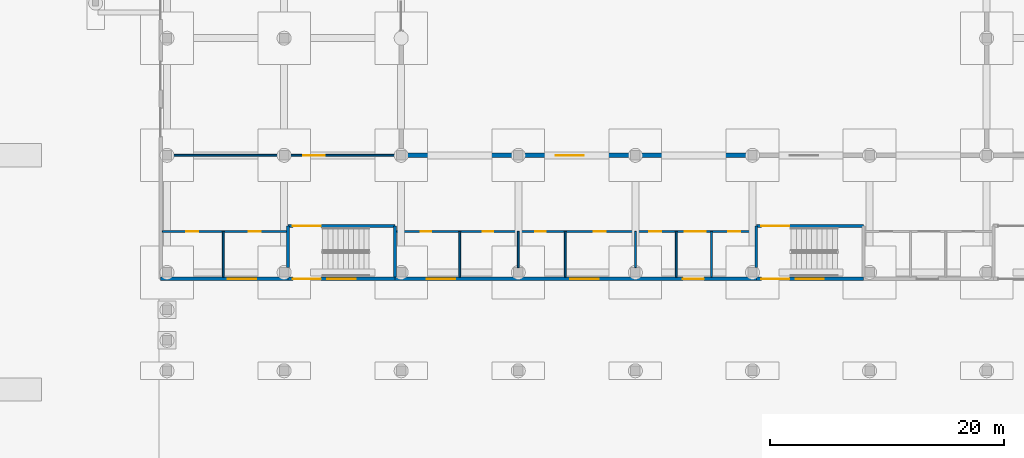
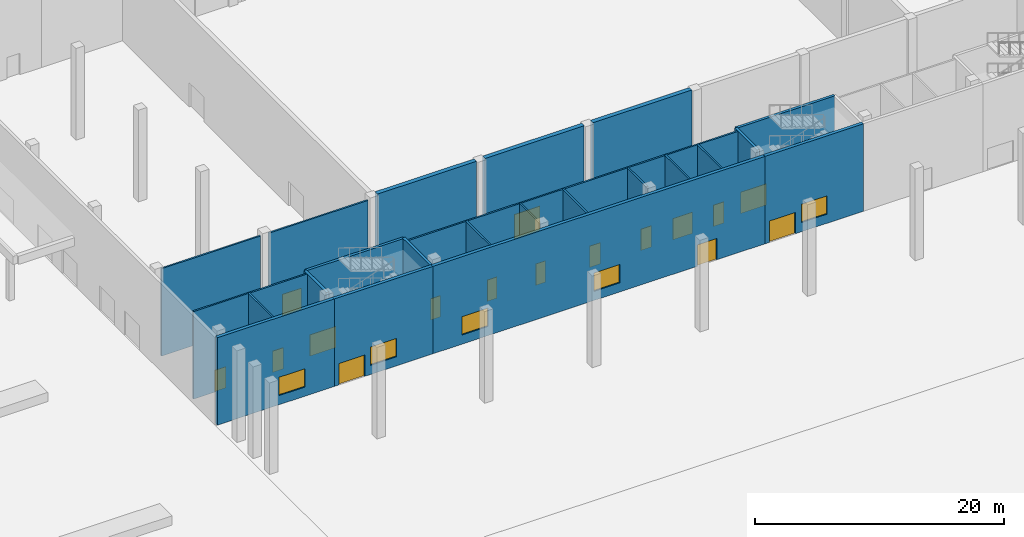
# One storey, part 32 of 63: 23 walls, 16 doors, 5 windows, 21 openings.
"""IFC4 building model written with IfcOpenShell, lengths in metres."""

import ifcopenshell
import ifcopenshell.guid

model = None  # the IFC model being written
_history = None  # IfcOwnerHistory: only IFC2X3 demands one
_inside = {}  # id of a spatial element -> (the spatial element, [elements in it])
_under = {}  # id of a project, library or spatial element -> (it, [spatial elements below it])
_declared = {}  # id of a project -> (the project, [libraries it declares])
_typed = {}  # id of a type object -> (the type object, [elements of that type])
_made_of = {}  # id of a material, layer set ... -> (it, [elements and type objects made of it])


def new_model(schema):
    """Start an empty IFC model of exactly this schema.

    Asked for "IFC4X3", IfcOpenShell would pick the latest addendum, in which some entities
    have other attributes; the version numbers below select the first issue.
    IFC2X3 requires an IfcOwnerHistory on every rooted entity: one is made here for all.
    """
    global model, _history
    if schema == "IFC4X3":
        model = ifcopenshell.file(schema_version=(4, 3, 0, 0))
    else:
        model = ifcopenshell.file(schema=schema)
    _inside.clear()
    _under.clear()
    _declared.clear()
    _typed.clear()
    _made_of.clear()
    _history = None
    if model.schema == "IFC2X3":
        org = make("IfcOrganization", Name="unknown")
        user = make(
            "IfcPersonAndOrganization",
            ThePerson=make("IfcPerson", FamilyName="unknown"),
            TheOrganization=org,
        )
        app = make(
            "IfcApplication",
            ApplicationDeveloper=org,
            Version="unknown",
            ApplicationFullName="unknown",
            ApplicationIdentifier="unknown",
        )
        _history = make(
            "IfcOwnerHistory",
            OwningUser=user,
            OwningApplication=app,
            ChangeAction="ADDED",
            CreationDate=0,
        )
    return model


def make(cls, **values):
    """One entity of the class cls with the attributes given. An attribute that is None is left unset."""
    return model.create_entity(
        cls, **{name: value for name, value in values.items() if value is not None}
    )


def rooted(cls, **values):
    """An entity with a GlobalId (a new one), such as an element, a storey or a relation."""
    return make(cls, GlobalId=ifcopenshell.guid.new(), OwnerHistory=_history, **values)


def si_unit(unit_type, name, prefix=None):
    """IfcSIUnit, for example si_unit("LENGTHUNIT", "METRE", prefix="MILLI")."""
    return make("IfcSIUnit", UnitType=unit_type, Prefix=prefix, Name=name)


def assignment(units):
    """IfcUnitAssignment: the units of a project."""
    return None if units is None else make("IfcUnitAssignment", Units=units)


def point(xyz):
    """IfcCartesianPoint."""
    return None if xyz is None else make("IfcCartesianPoint", Coordinates=xyz)


def direction(xyz):
    """IfcDirection."""
    return None if xyz is None else make("IfcDirection", DirectionRatios=xyz)


def frame(location, z_axis=None, x_axis=None):
    """IfcAxis2Placement3D, a coordinate frame: its origin and axes. An axis left out is left unset."""
    return make(
        "IfcAxis2Placement3D",
        Location=point(location),
        Axis=direction(z_axis),
        RefDirection=direction(x_axis),
    )


def frame_2d(location, x_axis=None):
    """IfcAxis2Placement2D, a coordinate frame in the plane: its origin and x axis."""
    return make(
        "IfcAxis2Placement2D", Location=point(location), RefDirection=direction(x_axis)
    )


def origin():
    """The frame at (0, 0, 0) with its axes left unset."""
    return frame((0.0, 0.0, 0.0))


def place(relative_to, where):
    """IfcLocalPlacement: puts the frame where relative to a parent placement (None: the world)."""
    return make(
        "IfcLocalPlacement", PlacementRelTo=relative_to, RelativePlacement=where
    )


def context(
    kind, dimensions, precision=None, world=None, true_north=None, identifier=None
):
    """IfcGeometricRepresentationContext, for example the 3D "Model" context."""
    return make(
        "IfcGeometricRepresentationContext",
        ContextIdentifier=identifier,
        ContextType=kind,
        CoordinateSpaceDimension=dimensions,
        Precision=precision,
        WorldCoordinateSystem=world,
        TrueNorth=true_north,
    )


def subcontext(parent, identifier, kind, view, scale=None):
    """IfcGeometricRepresentationSubContext, for example "Body" below "Model"."""
    return make(
        "IfcGeometricRepresentationSubContext",
        ContextIdentifier=identifier,
        ContextType=kind,
        ParentContext=parent,
        TargetScale=scale,
        TargetView=view,
    )


def project(units=None, contexts=None):
    """IfcProject with its units and contexts."""
    return rooted(
        "IfcProject",
        Name="project",
        RepresentationContexts=contexts,
        UnitsInContext=assignment(units),
    )


def spatial(cls, under=None, at=None, **own):
    """A site, building, storey or space (cls), placed at a placement, below another one or the project."""
    s = rooted(cls, ObjectPlacement=at, **own)
    if under is not None:
        _under.setdefault(under.id(), (under, []))[1].append(s)
    return s


def profile(cls, at=None, kind="AREA", **sizes):
    """A parametric profile (cls). Its sizes go by their IFC names, for example OverallWidth=200.0."""
    return make(cls, ProfileType=kind, Position=at, **sizes)


def rectangle(**sizes):
    """IfcRectangleProfileDef."""
    return profile("IfcRectangleProfileDef", **sizes)


def extrude(swept, where, along, depth):
    """IfcExtrudedAreaSolid: the profile swept, set in the frame where, extruded along a direction by depth."""
    return make(
        "IfcExtrudedAreaSolid",
        SweptArea=swept,
        Position=where,
        ExtrudedDirection=direction(along),
        Depth=depth,
    )


def shape(context_of_items, identifier, shape_type, items):
    """IfcShapeRepresentation: the items that make up one representation, for example the "Body"."""
    return make(
        "IfcShapeRepresentation",
        ContextOfItems=context_of_items,
        RepresentationIdentifier=identifier,
        RepresentationType=shape_type,
        Items=items,
    )


def material(Name=None, Category=None):
    """IfcMaterial."""
    return make("IfcMaterial", Name=Name, Category=Category)


def layer(
    of_material, thickness, ventilated=None, Name=None, Category=None, Priority=None
):
    """IfcMaterialLayer: one layer of a wall or slab, of a material (None: an air gap)."""
    return make(
        "IfcMaterialLayer",
        Material=of_material,
        LayerThickness=thickness,
        IsVentilated=ventilated,
        Name=Name,
        Category=Category,
        Priority=Priority,
    )


def layer_set(layers, Name=None):
    """IfcMaterialLayerSet."""
    return make("IfcMaterialLayerSet", MaterialLayers=layers, LayerSetName=Name)


def made_of(thing, what):
    """Note that an element or type object is made of a material, layer set ...; save() writes the relation."""
    if what is not None:
        _made_of.setdefault(what.id(), (what, []))[1].append(thing)
    return thing


def type_object(cls, material=None, **own):
    """A type object (cls), such as IfcWallType, which elements share."""
    return made_of(rooted(cls, **own), material)


def element(
    cls,
    number,
    at=None,
    inside=None,
    cuts=None,
    type_object=None,
    material=None,
    context=None,
    identifier="Body",
    shape_type=None,
    held_by="IfcProductDefinitionShape",
    body=None,
    shapes=None,
    **own,
):
    """One element of the class cls, such as IfcWall. Its Tag is "e" and its number.

    at: its placement. inside: the storey or other place that contains it. cuts: it is an
    opening in that element (IfcRelVoidsElement). A single representation is given by context,
    identifier, shape_type and body (its items); several are given by shapes. held_by: the class
    of the entity that holds the representations. save() writes the other relations.
    """
    e = rooted(cls, Tag="e%d" % number, ObjectPlacement=at, **own)
    if body is not None:
        shapes = [shape(context, identifier, shape_type, body)]
    if shapes is not None:
        e.Representation = make(held_by, Representations=shapes)
    if inside is not None:
        _inside.setdefault(inside.id(), (inside, []))[1].append(e)
    if cuts is not None:
        rooted(
            "IfcRelVoidsElement", RelatingBuildingElement=cuts, RelatedOpeningElement=e
        )
    if type_object is not None:
        _typed.setdefault(type_object.id(), (type_object, []))[1].append(e)
    return made_of(e, material)


def fill(opening, filler):
    """IfcRelFillsElement: the door or window that sits in an opening."""
    return rooted(
        "IfcRelFillsElement",
        RelatingOpeningElement=opening,
        RelatedBuildingElement=filler,
    )


def aggregate(whole, parts):
    """IfcRelAggregates: a whole, such as a stair, and the parts it consists of."""
    return rooted("IfcRelAggregates", RelatingObject=whole, RelatedObjects=parts)


def save(model, path):
    """Write the relations noted so far, then the file.

    IfcRelAggregates (storeys below a building ...), IfcRelContainedInSpatialStructure (elements
    in a storey), IfcRelDefinesByType, IfcRelAssociatesMaterial and IfcRelDeclares: one each for
    every whole, place, type object, material and project.
    """
    for whole, parts in _under.values():
        aggregate(whole, parts)
    for where, things in _inside.values():
        rooted(
            "IfcRelContainedInSpatialStructure",
            RelatedElements=things,
            RelatingStructure=where,
        )
    for kind, things in _typed.values():
        rooted("IfcRelDefinesByType", RelatedObjects=things, RelatingType=kind)
    for what, things in _made_of.values():
        rooted("IfcRelAssociatesMaterial", RelatedObjects=things, RelatingMaterial=what)
    for by, libraries in _declared.values():
        rooted("IfcRelDeclares", RelatingContext=by, RelatedDefinitions=libraries)
    model.write(path)


model = new_model("IFC4")

# Units and contexts
model_context = context("Model", 3, precision=1e-05, world=origin(), true_north=direction((0.0, 1.0)))
body_context = subcontext(model_context, "Body", "Model", "MODEL_VIEW")
ifc_project = project(units=[si_unit("LENGTHUNIT", "METRE"), si_unit("AREAUNIT", "SQUARE_METRE"), si_unit("VOLUMEUNIT", "CUBIC_METRE"), si_unit("PLANEANGLEUNIT", "RADIAN"), si_unit("MASSUNIT", "GRAM", prefix="KILO")], contexts=[model_context])

# Site, building, storey
site_placement = place(None, origin())
site = spatial("IfcSite", under=ifc_project, at=site_placement, CompositionType="ELEMENT")
building_placement = place(site_placement, origin())
building = spatial("IfcBuilding", under=site, at=building_placement, Name="Jabali Bay Hotel Tower and Convention Centre", CompositionType="ELEMENT")
storey_placement = place(building_placement, origin())
storey = spatial("IfcBuildingStorey", under=building, at=storey_placement, Name="L00", CompositionType="ELEMENT", Elevation=0.0)

# Wall, opening, window
ifc_material_1 = material(Name="Concrete C40", Category="concrete")
ifc_layer_1 = layer(ifc_material_1, 0.300048828125)
ifc_layer_set_1 = layer_set([ifc_layer_1], Name="Concrete C40")
wall_type_1 = type_object("IfcWallType", Name="CC External Wall 300", PredefinedType="SOLIDWALL", material=ifc_layer_set_1)
wall_1_placement = place(storey_placement, frame((150.14990234375, 49.449951171875, 0.0), z_axis=(0.0, 0.0, 1.0), x_axis=(1.0, 0.0, 0.0)))
wall_1 = element("IfcWall", 1, at=wall_1_placement, inside=storey, type_object=wall_type_1, Name="CC wall 257", PredefinedType="SOLIDWALL", context=body_context, shape_type="SweptSolid", body=[
    extrude(rectangle(XDim=10.875, YDim=0.300048828125, at=frame_2d((5.4375, 0.0))), origin(), (0.0, 0.0, 1.0), 8.590087890625),
])
opening_1_placement = place(wall_1_placement, frame((5.75, 0.0, 0.89990234375)))
opening_1 = element("IfcOpeningElement", 2, at=opening_1_placement, cuts=wall_1, Name="Opening CC-W001", PredefinedType="OPENING", context=body_context, shape_type="SweptSolid", body=[
    extrude(rectangle(XDim=2.39990234375, YDim=1.800048828125, at=frame_2d((1.199951171875, 0.89990234375))), frame((0.0, 0.16064453125, 0.0), z_axis=(0.0, -1.0, 0.0), x_axis=(1.0, 0.0, 0.0)), (0.0, 0.0, 1.0), 0.321044921875),
])
ifc_material_2 = material(Name="Aluminium 6063-T5 and glass", Category="aluminium")
window_type = type_object("IfcWindowType", Name="CC Window 2400x1800", PartitioningType="DOUBLE_PANEL_VERTICAL", PredefinedType="WINDOW", material=ifc_material_2)
window_1_placement = place(opening_1_placement, origin())
window_1 = element("IfcWindow", 3, at=window_1_placement, inside=storey, type_object=window_type, Name="CC window CC-W001", OverallHeight=1.800048828125, OverallWidth=2.39990234375, PartitioningType="DOUBLE_PANEL_VERTICAL", PredefinedType="WINDOW", context=body_context, shape_type="SweptSolid", body=[
    extrude(rectangle(XDim=2.39990234375, YDim=1.800048828125, at=frame_2d((1.199951171875, 0.89990234375))), frame((0.0, 0.030029296875, 0.0), z_axis=(0.0, -1.0, 0.0), x_axis=(1.0, 0.0, 0.0)), (0.0, 0.0, 1.0), 0.06005859375),
])
fill(opening_1, window_1)

# Wall, openings, door, window
wall_2_placement = place(storey_placement, frame((170.175048828125, 49.449951171875, 0.0), z_axis=(0.0, 0.0, 1.0), x_axis=(-1.0, 0.0, 0.0)))
wall_2 = element("IfcWall", 4, at=wall_2_placement, inside=storey, type_object=wall_type_1, Name="CC wall 258", PredefinedType="SOLIDWALL", context=body_context, shape_type="SweptSolid", body=[
    extrude(rectangle(XDim=9.150146484375, YDim=0.300048828125, at=frame_2d((4.5751953125, 0.0))), origin(), (0.0, 0.0, 1.0), 8.590087890625),
])
opening_2_placement = place(wall_2_placement, frame((6.324951171875, 0.0, 0.0)))
opening_2 = element("IfcOpeningElement", 5, at=opening_2_placement, cuts=wall_2, Name="Opening CC-D218", PredefinedType="OPENING", context=body_context, shape_type="SweptSolid", body=[
    extrude(rectangle(XDim=2.39990234375, YDim=2.10009765625, at=frame_2d((1.199951171875, 1.050048828125))), frame((0.0, 0.16064453125, 0.0), z_axis=(0.0, -1.0, 0.0), x_axis=(1.0, 0.0, 0.0)), (0.0, 0.0, 1.0), 0.321044921875),
])
opening_3_placement = place(wall_2_placement, frame((3.375, 0.0, 0.89990234375)))
opening_3 = element("IfcOpeningElement", 6, at=opening_3_placement, cuts=wall_2, Name="Opening CC-W002", PredefinedType="OPENING", context=body_context, shape_type="SweptSolid", body=[
    extrude(rectangle(XDim=2.39990234375, YDim=1.800048828125, at=frame_2d((1.199951171875, 0.89990234375))), frame((0.0, 0.16064453125, 0.0), z_axis=(0.0, -1.0, 0.0), x_axis=(1.0, 0.0, 0.0)), (0.0, 0.0, 1.0), 0.321044921875),
])
ifc_material_3 = material(Name="Timber and steel door set", Category="steel")
door_type_1 = type_object("IfcDoorType", Name="CC Stair Door Pair 2400x2100", OperationType="NOTDEFINED", PredefinedType="DOOR", material=ifc_material_3)
door_1_placement = place(opening_2_placement, origin())
door_1 = element("IfcDoor", 7, at=door_1_placement, inside=storey, type_object=door_type_1, Name="CC door CC-D218", OperationType="DOUBLE_DOOR_SINGLE_SWING", OverallHeight=2.10009765625, OverallWidth=2.39990234375, PredefinedType="DOOR", context=body_context, shape_type="SweptSolid", body=[
    extrude(rectangle(XDim=2.39990234375, YDim=2.10009765625, at=frame_2d((1.199951171875, 1.050048828125))), frame((0.0, 0.02490234375, 0.0), z_axis=(0.0, -1.0, 0.0), x_axis=(1.0, 0.0, 0.0)), (0.0, 0.0, 1.0), 0.050048828125),
])
fill(opening_2, door_1)
window_2_placement = place(opening_3_placement, origin())
window_2 = element("IfcWindow", 8, at=window_2_placement, inside=storey, type_object=window_type, Name="CC window CC-W002", OverallHeight=1.800048828125, OverallWidth=2.39990234375, PartitioningType="DOUBLE_PANEL_VERTICAL", PredefinedType="WINDOW", context=body_context, shape_type="SweptSolid", body=[
    extrude(rectangle(XDim=2.39990234375, YDim=1.800048828125, at=frame_2d((1.199951171875, 0.89990234375))), frame((0.0, 0.030029296875, 0.0), z_axis=(0.0, -1.0, 0.0), x_axis=(1.0, 0.0, 0.0)), (0.0, 0.0, 1.0), 0.06005859375),
])
fill(opening_3, window_2)

# Wall, openings, door, windows
wall_3_placement = place(storey_placement, frame((201.02490234375, 49.449951171875, 0.0), z_axis=(0.0, 0.0, 1.0), x_axis=(-1.0, 0.0, 0.0)))
wall_3 = element("IfcWall", 9, at=wall_3_placement, inside=storey, type_object=wall_type_1, Name="CC wall 259", PredefinedType="SOLIDWALL", context=body_context, shape_type="SweptSolid", body=[
    extrude(rectangle(XDim=30.849853515625, YDim=0.300048828125, at=frame_2d((15.4248046875, 0.0))), origin(), (0.0, 0.0, 1.0), 8.590087890625),
])
opening_4_placement = place(wall_3_placement, frame((4.47509765625, 0.0, 0.0)))
opening_4 = element("IfcOpeningElement", 10, at=opening_4_placement, cuts=wall_3, Name="Opening CC-D087", PredefinedType="OPENING", context=body_context, shape_type="SweptSolid", body=[
    extrude(rectangle(XDim=1.800048828125, YDim=2.10009765625, at=frame_2d((0.89990234375, 1.050048828125))), frame((0.0, 0.16064453125, 0.0), z_axis=(0.0, -1.0, 0.0), x_axis=(1.0, 0.0, 0.0)), (0.0, 0.0, 1.0), 0.321044921875),
])
opening_5_placement = place(wall_3_placement, frame((25.72509765625, 0.0, 0.89990234375)))
opening_5 = element("IfcOpeningElement", 11, at=opening_5_placement, cuts=wall_3, Name="Opening CC-W003", PredefinedType="OPENING", context=body_context, shape_type="SweptSolid", body=[
    extrude(rectangle(XDim=2.39990234375, YDim=1.800048828125, at=frame_2d((1.199951171875, 0.89990234375))), frame((0.0, 0.16064453125, 0.0), z_axis=(0.0, -1.0, 0.0), x_axis=(1.0, 0.0, 0.0)), (0.0, 0.0, 1.0), 0.321044921875),
])
opening_6_placement = place(wall_3_placement, frame((13.47509765625, 0.0, 0.89990234375)))
opening_6 = element("IfcOpeningElement", 12, at=opening_6_placement, cuts=wall_3, Name="Opening CC-W004", PredefinedType="OPENING", context=body_context, shape_type="SweptSolid", body=[
    extrude(rectangle(XDim=2.39990234375, YDim=1.800048828125, at=frame_2d((1.199951171875, 0.89990234375))), frame((0.0, 0.16064453125, 0.0), z_axis=(0.0, -1.0, 0.0), x_axis=(1.0, 0.0, 0.0)), (0.0, 0.0, 1.0), 0.321044921875),
])
door_type_2 = type_object("IfcDoorType", Name="CC Exit Double Door 1800x2100", OperationType="NOTDEFINED", PredefinedType="DOOR", material=ifc_material_3)
door_2_placement = place(opening_4_placement, origin())
door_2 = element("IfcDoor", 13, at=door_2_placement, inside=storey, type_object=door_type_2, Name="CC door CC-D087", OperationType="DOUBLE_DOOR_SINGLE_SWING", OverallHeight=2.10009765625, OverallWidth=1.800048828125, PredefinedType="DOOR", context=body_context, shape_type="SweptSolid", body=[
    extrude(rectangle(XDim=1.800048828125, YDim=2.10009765625, at=frame_2d((0.89990234375, 1.050048828125))), frame((0.0, 0.02490234375, 0.0), z_axis=(0.0, -1.0, 0.0), x_axis=(1.0, 0.0, 0.0)), (0.0, 0.0, 1.0), 0.050048828125),
])
fill(opening_4, door_2)
window_3_placement = place(opening_5_placement, origin())
window_3 = element("IfcWindow", 14, at=window_3_placement, inside=storey, type_object=window_type, Name="CC window CC-W003", OverallHeight=1.800048828125, OverallWidth=2.39990234375, PartitioningType="DOUBLE_PANEL_VERTICAL", PredefinedType="WINDOW", context=body_context, shape_type="SweptSolid", body=[
    extrude(rectangle(XDim=2.39990234375, YDim=1.800048828125, at=frame_2d((1.199951171875, 0.89990234375))), frame((0.0, 0.030029296875, 0.0), z_axis=(0.0, -1.0, 0.0), x_axis=(1.0, 0.0, 0.0)), (0.0, 0.0, 1.0), 0.06005859375),
])
fill(opening_5, window_3)
window_4_placement = place(opening_6_placement, origin())
window_4 = element("IfcWindow", 15, at=window_4_placement, inside=storey, type_object=window_type, Name="CC window CC-W004", OverallHeight=1.800048828125, OverallWidth=2.39990234375, PartitioningType="DOUBLE_PANEL_VERTICAL", PredefinedType="WINDOW", context=body_context, shape_type="SweptSolid", body=[
    extrude(rectangle(XDim=2.39990234375, YDim=1.800048828125, at=frame_2d((1.199951171875, 0.89990234375))), frame((0.0, 0.030029296875, 0.0), z_axis=(0.0, -1.0, 0.0), x_axis=(1.0, 0.0, 0.0)), (0.0, 0.0, 1.0), 0.06005859375),
])
fill(opening_6, window_4)

# Wall, openings, door, window
wall_4_placement = place(storey_placement, frame((210.175048828125, 49.449951171875, 0.0), z_axis=(0.0, 0.0, 1.0), x_axis=(-1.0, 0.0, 0.0)))
wall_4 = element("IfcWall", 16, at=wall_4_placement, inside=storey, type_object=wall_type_1, Name="CC wall 260", PredefinedType="SOLIDWALL", context=body_context, shape_type="SweptSolid", body=[
    extrude(rectangle(XDim=9.150146484375, YDim=0.300048828125, at=frame_2d((4.5751953125, 0.0))), origin(), (0.0, 0.0, 1.0), 8.590087890625),
])
opening_7_placement = place(wall_4_placement, frame((6.324951171875, 0.0, 0.0)))
opening_7 = element("IfcOpeningElement", 17, at=opening_7_placement, cuts=wall_4, Name="Opening CC-D224", PredefinedType="OPENING", context=body_context, shape_type="SweptSolid", body=[
    extrude(rectangle(XDim=2.39990234375, YDim=2.10009765625, at=frame_2d((1.199951171875, 1.050048828125))), frame((0.0, 0.16064453125, 0.0), z_axis=(0.0, -1.0, 0.0), x_axis=(1.0, 0.0, 0.0)), (0.0, 0.0, 1.0), 0.321044921875),
])
opening_8_placement = place(wall_4_placement, frame((3.375, 0.0, 0.89990234375)))
opening_8 = element("IfcOpeningElement", 18, at=opening_8_placement, cuts=wall_4, Name="Opening CC-W005", PredefinedType="OPENING", context=body_context, shape_type="SweptSolid", body=[
    extrude(rectangle(XDim=2.39990234375, YDim=1.800048828125, at=frame_2d((1.199951171875, 0.89990234375))), frame((0.0, 0.16064453125, 0.0), z_axis=(0.0, -1.0, 0.0), x_axis=(1.0, 0.0, 0.0)), (0.0, 0.0, 1.0), 0.321044921875),
])
door_3_placement = place(opening_7_placement, origin())
door_3 = element("IfcDoor", 19, at=door_3_placement, inside=storey, type_object=door_type_1, Name="CC door CC-D224", OperationType="DOUBLE_DOOR_SINGLE_SWING", OverallHeight=2.10009765625, OverallWidth=2.39990234375, PredefinedType="DOOR", context=body_context, shape_type="SweptSolid", body=[
    extrude(rectangle(XDim=2.39990234375, YDim=2.10009765625, at=frame_2d((1.199951171875, 1.050048828125))), frame((0.0, 0.02490234375, 0.0), z_axis=(0.0, -1.0, 0.0), x_axis=(1.0, 0.0, 0.0)), (0.0, 0.0, 1.0), 0.050048828125),
])
fill(opening_7, door_3)
window_5_placement = place(opening_8_placement, origin())
window_5 = element("IfcWindow", 20, at=window_5_placement, inside=storey, type_object=window_type, Name="CC window CC-W005", OverallHeight=1.800048828125, OverallWidth=2.39990234375, PartitioningType="DOUBLE_PANEL_VERTICAL", PredefinedType="WINDOW", context=body_context, shape_type="SweptSolid", body=[
    extrude(rectangle(XDim=2.39990234375, YDim=1.800048828125, at=frame_2d((1.199951171875, 0.89990234375))), frame((0.0, 0.030029296875, 0.0), z_axis=(0.0, -1.0, 0.0), x_axis=(1.0, 0.0, 0.0)), (0.0, 0.0, 1.0), 0.06005859375),
])
fill(opening_8, window_5)

# Wall
ifc_layer_2 = layer(ifc_material_1, 0.39990234375)
ifc_layer_set_2 = layer_set([ifc_layer_2], Name="Concrete C40")
wall_type_2 = type_object("IfcWallType", Name="CC Hall Wall 400", PredefinedType="SHEAR", material=ifc_layer_set_2)
wall_5_placement = place(storey_placement, frame((171.10009765625, 60.0, 0.0), z_axis=(0.0, 0.0, 1.0), x_axis=(1.0, 0.0, 0.0)))
element("IfcWall", 21, at=wall_5_placement, inside=storey, type_object=wall_type_2, Name="CC exhibition hall wall", PredefinedType="SHEAR", context=body_context, shape_type="SweptSolid", body=[
    extrude(rectangle(XDim=9.199951171875, YDim=0.39990234375, at=frame_2d((4.60009765625, 0.0))), origin(), (0.0, 0.0, 1.0), 9.0),
])

# Wall, opening, door
wall_6_placement = place(storey_placement, frame((190.300048828125, 60.0, 0.0), z_axis=(0.0, 0.0, 1.0), x_axis=(-1.0, 0.0, 0.0)))
wall_6 = element("IfcWall", 22, at=wall_6_placement, inside=storey, type_object=wall_type_2, Name="CC exhibition hall wall", PredefinedType="SHEAR", context=body_context, shape_type="SweptSolid", body=[
    extrude(rectangle(XDim=9.199951171875, YDim=0.39990234375, at=frame_2d((4.60009765625, 0.0))), origin(), (0.0, 0.0, 1.0), 9.0),
])
opening_9_placement = place(wall_6_placement, frame((4.0, 0.0, 0.0)))
opening_9 = element("IfcOpeningElement", 23, at=opening_9_placement, cuts=wall_6, Name="Opening CC-D070", PredefinedType="OPENING", context=body_context, shape_type="SweptSolid", body=[
    extrude(rectangle(XDim=2.39990234375, YDim=2.39990234375, at=frame_2d((1.199951171875, 1.199951171875))), frame((0.0, 0.21044921875, 0.0), z_axis=(0.0, -1.0, 0.0), x_axis=(1.0, 0.0, 0.0)), (0.0, 0.0, 1.0), 0.4208984375),
])
door_type_3 = type_object("IfcDoorType", Name="CC Hall Double Door 2400x2400", OperationType="NOTDEFINED", PredefinedType="DOOR", material=ifc_material_3)
door_4_placement = place(opening_9_placement, origin())
door_4 = element("IfcDoor", 24, at=door_4_placement, inside=storey, type_object=door_type_3, Name="CC door CC-D070", OperationType="DOUBLE_DOOR_SINGLE_SWING", OverallHeight=2.39990234375, OverallWidth=2.39990234375, PredefinedType="DOOR", context=body_context, shape_type="SweptSolid", body=[
    extrude(rectangle(XDim=2.39990234375, YDim=2.39990234375, at=frame_2d((1.199951171875, 1.199951171875))), frame((0.0, 0.02490234375, 0.0), z_axis=(0.0, -1.0, 0.0), x_axis=(1.0, 0.0, 0.0)), (0.0, 0.0, 1.0), 0.050048828125),
])
fill(opening_9, door_4)

# Walls
wall_7_placement = place(storey_placement, frame((191.10009765625, 60.0, 0.0), z_axis=(0.0, 0.0, 1.0), x_axis=(1.0, 0.0, 0.0)))
element("IfcWall", 25, at=wall_7_placement, inside=storey, type_object=wall_type_2, Name="CC exhibition hall wall", PredefinedType="SHEAR", context=body_context, shape_type="SweptSolid", body=[
    extrude(rectangle(XDim=9.199951171875, YDim=0.39990234375, at=frame_2d((4.60009765625, 0.0))), origin(), (0.0, 0.0, 1.0), 9.0),
])
ifc_material_4 = material(Name="Blockwork M10", Category="masonry")
ifc_layer_3 = layer(ifc_material_4, 0.14990234375)
ifc_layer_set_3 = layer_set([ifc_layer_3], Name="Blockwork M10")
wall_type_3 = type_object("IfcWallType", Name="CC Partition 150", PredefinedType="PARTITIONING", material=ifc_layer_set_3)
wall_8_placement = place(storey_placement, frame((151.10009765625, 60.0, 0.0), z_axis=(0.0, 0.0, 1.0), x_axis=(1.0, 0.0, 0.0)))
element("IfcWall", 26, at=wall_8_placement, inside=storey, type_object=wall_type_3, Name="CC wall 345", PredefinedType="PARTITIONING", context=body_context, shape_type="SweptSolid", body=[
    extrude(rectangle(XDim=9.199951171875, YDim=0.14990234375, at=frame_2d((4.60009765625, 0.0))), origin(), (0.0, 0.0, 1.0), 8.590087890625),
])

# Wall, opening, door
wall_9_placement = place(storey_placement, frame((170.300048828125, 60.0, 0.0), z_axis=(0.0, 0.0, 1.0), x_axis=(-1.0, 0.0, 0.0)))
wall_9 = element("IfcWall", 27, at=wall_9_placement, inside=storey, type_object=wall_type_3, Name="CC wall 346", PredefinedType="PARTITIONING", context=body_context, shape_type="SweptSolid", body=[
    extrude(rectangle(XDim=9.199951171875, YDim=0.14990234375, at=frame_2d((4.60009765625, 0.0))), origin(), (0.0, 0.0, 1.0), 8.590087890625),
])
opening_10_placement = place(wall_9_placement, frame((6.14990234375, 0.0, 0.0)))
opening_10 = element("IfcOpeningElement", 28, at=opening_10_placement, cuts=wall_9, Name="Opening CC-D013", PredefinedType="OPENING", context=body_context, shape_type="SweptSolid", body=[
    extrude(rectangle(XDim=1.800048828125, YDim=2.10009765625, at=frame_2d((0.89990234375, 1.050048828125))), frame((0.0, 0.08544921875, 0.0), z_axis=(0.0, -1.0, 0.0), x_axis=(1.0, 0.0, 0.0)), (0.0, 0.0, 1.0), 0.1708984375),
])
door_type_4 = type_object("IfcDoorType", Name="CC Double Door 1800x2100", OperationType="NOTDEFINED", PredefinedType="DOOR", material=ifc_material_3)
door_5_placement = place(opening_10_placement, origin())
door_5 = element("IfcDoor", 29, at=door_5_placement, inside=storey, type_object=door_type_4, Name="CC door CC-D013", OperationType="DOUBLE_DOOR_SINGLE_SWING", OverallHeight=2.10009765625, OverallWidth=1.800048828125, PredefinedType="DOOR", context=body_context, shape_type="SweptSolid", body=[
    extrude(rectangle(XDim=1.800048828125, YDim=2.10009765625, at=frame_2d((0.89990234375, 1.050048828125))), frame((0.0, 0.02490234375, 0.0), z_axis=(0.0, -1.0, 0.0), x_axis=(1.0, 0.0, 0.0)), (0.0, 0.0, 1.0), 0.050048828125),
])
fill(opening_10, door_5)

# Wall, openings, doors
wall_10_placement = place(storey_placement, frame((150.300048828125, 53.5, 0.0), z_axis=(0.0, 0.0, 1.0), x_axis=(1.0, 0.0, 0.0)))
wall_10 = element("IfcWall", 30, at=wall_10_placement, inside=storey, type_object=wall_type_3, Name="CC wall 347", PredefinedType="PARTITIONING", context=body_context, shape_type="SweptSolid", body=[
    extrude(rectangle(XDim=10.724853515625, YDim=0.14990234375, at=frame_2d((5.3623046875, 0.0))), origin(), (0.0, 0.0, 1.0), 8.590087890625),
])
opening_11_placement = place(wall_10_placement, frame((7.39990234375, 0.0, 0.0)))
opening_11 = element("IfcOpeningElement", 31, at=opening_11_placement, cuts=wall_10, Name="Opening CC-D002", PredefinedType="OPENING", context=body_context, shape_type="SweptSolid", body=[
    extrude(rectangle(XDim=1.0, YDim=2.10009765625, at=frame_2d((0.5, 1.050048828125))), frame((0.0, 0.08544921875, 0.0), z_axis=(0.0, -1.0, 0.0), x_axis=(1.0, 0.0, 0.0)), (0.0, 0.0, 1.0), 0.1708984375),
])
opening_12_placement = place(wall_10_placement, frame((2.050048828125, 0.0, 0.0)))
opening_12 = element("IfcOpeningElement", 32, at=opening_12_placement, cuts=wall_10, Name="Opening CC-D011", PredefinedType="OPENING", context=body_context, shape_type="SweptSolid", body=[
    extrude(rectangle(XDim=1.0, YDim=2.10009765625, at=frame_2d((0.5, 1.050048828125))), frame((0.0, 0.08544921875, 0.0), z_axis=(0.0, -1.0, 0.0), x_axis=(1.0, 0.0, 0.0)), (0.0, 0.0, 1.0), 0.1708984375),
])
door_type_5 = type_object("IfcDoorType", Name="CC Single Door 1000x2100", OperationType="NOTDEFINED", PredefinedType="DOOR", material=ifc_material_3)
door_6_placement = place(opening_11_placement, origin())
door_6 = element("IfcDoor", 33, at=door_6_placement, inside=storey, type_object=door_type_5, Name="CC door CC-D002", OperationType="SINGLE_SWING_RIGHT", OverallHeight=2.10009765625, OverallWidth=1.0, PredefinedType="DOOR", context=body_context, shape_type="SweptSolid", body=[
    extrude(rectangle(XDim=1.0, YDim=2.10009765625, at=frame_2d((0.5, 1.050048828125))), frame((0.0, 0.02490234375, 0.0), z_axis=(0.0, -1.0, 0.0), x_axis=(1.0, 0.0, 0.0)), (0.0, 0.0, 1.0), 0.050048828125),
])
fill(opening_11, door_6)
door_7_placement = place(opening_12_placement, origin())
door_7 = element("IfcDoor", 34, at=door_7_placement, inside=storey, type_object=door_type_5, Name="CC door CC-D011", OperationType="SINGLE_SWING_LEFT", OverallHeight=2.10009765625, OverallWidth=1.0, PredefinedType="DOOR", context=body_context, shape_type="SweptSolid", body=[
    extrude(rectangle(XDim=1.0, YDim=2.10009765625, at=frame_2d((0.5, 1.050048828125))), frame((0.0, 0.02490234375, 0.0), z_axis=(0.0, -1.0, 0.0), x_axis=(1.0, 0.0, 0.0)), (0.0, 0.0, 1.0), 0.050048828125),
])
fill(opening_12, door_7)

wall_11_placement = place(storey_placement, frame((170.175048828125, 53.5, 0.0), z_axis=(0.0, 0.0, 1.0), x_axis=(1.0, 0.0, 0.0)))
wall_11 = element("IfcWall", 35, at=wall_11_placement, inside=storey, type_object=wall_type_3, Name="CC wall 348", PredefinedType="PARTITIONING", context=body_context, shape_type="SweptSolid", body=[
    extrude(rectangle(XDim=30.849853515625, YDim=0.14990234375, at=frame_2d((15.4248046875, 0.0))), origin(), (0.0, 0.0, 1.0), 8.590087890625),
])
opening_13_placement = place(wall_11_placement, frame((11.97509765625, 0.0, 0.0)))
opening_13 = element("IfcOpeningElement", 36, at=opening_13_placement, cuts=wall_11, Name="Opening CC-D001", PredefinedType="OPENING", context=body_context, shape_type="SweptSolid", body=[
    extrude(rectangle(XDim=0.89990234375, YDim=2.10009765625, at=frame_2d((0.449951171875, 1.050048828125))), frame((0.0, 0.08544921875, 0.0), z_axis=(0.0, -1.0, 0.0), x_axis=(1.0, 0.0, 0.0)), (0.0, 0.0, 1.0), 0.1708984375),
])
opening_14_placement = place(wall_11_placement, frame((28.47509765625, 0.0, 0.0)))
opening_14 = element("IfcOpeningElement", 37, at=opening_14_placement, cuts=wall_11, Name="Opening CC-D004", PredefinedType="OPENING", context=body_context, shape_type="SweptSolid", body=[
    extrude(rectangle(XDim=1.0, YDim=2.10009765625, at=frame_2d((0.5, 1.050048828125))), frame((0.0, 0.08544921875, 0.0), z_axis=(0.0, -1.0, 0.0), x_axis=(1.0, 0.0, 0.0)), (0.0, 0.0, 1.0), 0.1708984375),
])
opening_15_placement = place(wall_11_placement, frame((16.97509765625, 0.0, 0.0)))
opening_15 = element("IfcOpeningElement", 38, at=opening_15_placement, cuts=wall_11, Name="Opening CC-D006", PredefinedType="OPENING", context=body_context, shape_type="SweptSolid", body=[
    extrude(rectangle(XDim=1.0, YDim=2.10009765625, at=frame_2d((0.5, 1.050048828125))), frame((0.0, 0.08544921875, 0.0), z_axis=(0.0, -1.0, 0.0), x_axis=(1.0, 0.0, 0.0)), (0.0, 0.0, 1.0), 0.1708984375),
])
opening_16_placement = place(wall_11_placement, frame((24.72509765625, 0.0, 0.0)))
opening_16 = element("IfcOpeningElement", 39, at=opening_16_placement, cuts=wall_11, Name="Opening CC-D007", PredefinedType="OPENING", context=body_context, shape_type="SweptSolid", body=[
    extrude(rectangle(XDim=1.800048828125, YDim=2.10009765625, at=frame_2d((0.89990234375, 1.050048828125))), frame((0.0, 0.08544921875, 0.0), z_axis=(0.0, -1.0, 0.0), x_axis=(1.0, 0.0, 0.0)), (0.0, 0.0, 1.0), 0.1708984375),
])
opening_17_placement = place(wall_11_placement, frame((7.47509765625, 0.0, 0.0)))
opening_17 = element("IfcOpeningElement", 40, at=opening_17_placement, cuts=wall_11, Name="Opening CC-D009", PredefinedType="OPENING", context=body_context, shape_type="SweptSolid", body=[
    extrude(rectangle(XDim=0.89990234375, YDim=2.10009765625, at=frame_2d((0.449951171875, 1.050048828125))), frame((0.0, 0.08544921875, 0.0), z_axis=(0.0, -1.0, 0.0), x_axis=(1.0, 0.0, 0.0)), (0.0, 0.0, 1.0), 0.1708984375),
])
opening_18_placement = place(wall_11_placement, frame((21.72509765625, 0.0, 0.0)))
opening_18 = element("IfcOpeningElement", 41, at=opening_18_placement, cuts=wall_11, Name="Opening CC-D010", PredefinedType="OPENING", context=body_context, shape_type="SweptSolid", body=[
    extrude(rectangle(XDim=1.0, YDim=2.10009765625, at=frame_2d((0.5, 1.050048828125))), frame((0.0, 0.08544921875, 0.0), z_axis=(0.0, -1.0, 0.0), x_axis=(1.0, 0.0, 0.0)), (0.0, 0.0, 1.0), 0.1708984375),
])
opening_19_placement = place(wall_11_placement, frame((2.199951171875, 0.0, 0.0)))
opening_19 = element("IfcOpeningElement", 42, at=opening_19_placement, cuts=wall_11, Name="Opening CC-D012", PredefinedType="OPENING", context=body_context, shape_type="SweptSolid", body=[
    extrude(rectangle(XDim=0.89990234375, YDim=2.10009765625, at=frame_2d((0.449951171875, 1.050048828125))), frame((0.0, 0.08544921875, 0.0), z_axis=(0.0, -1.0, 0.0), x_axis=(1.0, 0.0, 0.0)), (0.0, 0.0, 1.0), 0.1708984375),
])
door_8_placement = place(opening_16_placement, origin())
door_8 = element("IfcDoor", 43, at=door_8_placement, inside=storey, type_object=door_type_4, Name="CC door CC-D007", OperationType="DOUBLE_DOOR_SINGLE_SWING", OverallHeight=2.10009765625, OverallWidth=1.800048828125, PredefinedType="DOOR", context=body_context, shape_type="SweptSolid", body=[
    extrude(rectangle(XDim=1.800048828125, YDim=2.10009765625, at=frame_2d((0.89990234375, 1.050048828125))), frame((0.0, 0.02490234375, 0.0), z_axis=(0.0, -1.0, 0.0), x_axis=(1.0, 0.0, 0.0)), (0.0, 0.0, 1.0), 0.050048828125),
])
fill(opening_16, door_8)
door_9_placement = place(opening_14_placement, origin())
door_9 = element("IfcDoor", 44, at=door_9_placement, inside=storey, type_object=door_type_5, Name="CC door CC-D004", OperationType="SINGLE_SWING_RIGHT", OverallHeight=2.10009765625, OverallWidth=1.0, PredefinedType="DOOR", context=body_context, shape_type="SweptSolid", body=[
    extrude(rectangle(XDim=1.0, YDim=2.10009765625, at=frame_2d((0.5, 1.050048828125))), frame((0.0, 0.02490234375, 0.0), z_axis=(0.0, -1.0, 0.0), x_axis=(1.0, 0.0, 0.0)), (0.0, 0.0, 1.0), 0.050048828125),
])
fill(opening_14, door_9)
door_10_placement = place(opening_15_placement, origin())
door_10 = element("IfcDoor", 45, at=door_10_placement, inside=storey, type_object=door_type_5, Name="CC door CC-D006", OperationType="SINGLE_SWING_RIGHT", OverallHeight=2.10009765625, OverallWidth=1.0, PredefinedType="DOOR", context=body_context, shape_type="SweptSolid", body=[
    extrude(rectangle(XDim=1.0, YDim=2.10009765625, at=frame_2d((0.5, 1.050048828125))), frame((0.0, 0.02490234375, 0.0), z_axis=(0.0, -1.0, 0.0), x_axis=(1.0, 0.0, 0.0)), (0.0, 0.0, 1.0), 0.050048828125),
])
fill(opening_15, door_10)
door_11_placement = place(opening_18_placement, origin())
door_11 = element("IfcDoor", 46, at=door_11_placement, inside=storey, type_object=door_type_5, Name="CC door CC-D010", OperationType="SINGLE_SWING_RIGHT", OverallHeight=2.10009765625, OverallWidth=1.0, PredefinedType="DOOR", context=body_context, shape_type="SweptSolid", body=[
    extrude(rectangle(XDim=1.0, YDim=2.10009765625, at=frame_2d((0.5, 1.050048828125))), frame((0.0, 0.02490234375, 0.0), z_axis=(0.0, -1.0, 0.0), x_axis=(1.0, 0.0, 0.0)), (0.0, 0.0, 1.0), 0.050048828125),
])
fill(opening_18, door_11)
door_type_6 = type_object("IfcDoorType", Name="CC Single Door 900x2100", OperationType="NOTDEFINED", PredefinedType="DOOR", material=ifc_material_3)
door_12_placement = place(opening_13_placement, origin())
door_12 = element("IfcDoor", 47, at=door_12_placement, inside=storey, type_object=door_type_6, Name="CC door CC-D001", OperationType="SINGLE_SWING_LEFT", OverallHeight=2.10009765625, OverallWidth=0.89990234375, PredefinedType="DOOR", context=body_context, shape_type="SweptSolid", body=[
    extrude(rectangle(XDim=0.89990234375, YDim=2.10009765625, at=frame_2d((0.449951171875, 1.050048828125))), frame((0.0, 0.02490234375, 0.0), z_axis=(0.0, -1.0, 0.0), x_axis=(1.0, 0.0, 0.0)), (0.0, 0.0, 1.0), 0.050048828125),
])
fill(opening_13, door_12)
door_13_placement = place(opening_17_placement, origin())
door_13 = element("IfcDoor", 48, at=door_13_placement, inside=storey, type_object=door_type_6, Name="CC door CC-D009", OperationType="SINGLE_SWING_LEFT", OverallHeight=2.10009765625, OverallWidth=0.89990234375, PredefinedType="DOOR", context=body_context, shape_type="SweptSolid", body=[
    extrude(rectangle(XDim=0.89990234375, YDim=2.10009765625, at=frame_2d((0.449951171875, 1.050048828125))), frame((0.0, 0.02490234375, 0.0), z_axis=(0.0, -1.0, 0.0), x_axis=(1.0, 0.0, 0.0)), (0.0, 0.0, 1.0), 0.050048828125),
])
fill(opening_17, door_13)
door_14_placement = place(opening_19_placement, origin())
door_14 = element("IfcDoor", 49, at=door_14_placement, inside=storey, type_object=door_type_6, Name="CC door CC-D012", OperationType="SINGLE_SWING_RIGHT", OverallHeight=2.10009765625, OverallWidth=0.89990234375, PredefinedType="DOOR", context=body_context, shape_type="SweptSolid", body=[
    extrude(rectangle(XDim=0.89990234375, YDim=2.10009765625, at=frame_2d((0.449951171875, 1.050048828125))), frame((0.0, 0.02490234375, 0.0), z_axis=(0.0, -1.0, 0.0), x_axis=(1.0, 0.0, 0.0)), (0.0, 0.0, 1.0), 0.050048828125),
])
fill(opening_19, door_14)

# Walls
for number, where, z_axis, x_axis, name in (
    (50, (155.5, 49.60009765625, 0.0), (0.0, 0.0, 1.0), (0.0, 1.0, 0.0), "CC wall 358"),
    (51, (175.699951171875, 49.60009765625, 0.0), (0.0, 0.0, 1.0), (0.0, 1.0, 0.0), "CC wall 359"),
):
    element("IfcWall", number, at=place(storey_placement, frame(where, z_axis=z_axis, x_axis=x_axis)), inside=storey, type_object=wall_type_3, Name=name, PredefinedType="PARTITIONING", context=body_context, shape_type="SweptSolid", body=[
        extrude(rectangle(XDim=3.89990234375, YDim=0.14990234375, at=frame_2d((1.949951171875, 0.0))), origin(), (0.0, 0.0, 1.0), 8.590087890625),
    ])
wall_12_placement = place(storey_placement, frame((180.699951171875, 50.39990234375, 0.0), z_axis=(0.0, 0.0, 1.0), x_axis=(0.0, 1.0, 0.0)))
element("IfcWall", 52, at=wall_12_placement, inside=storey, type_object=wall_type_3, Name="CC wall 360", PredefinedType="PARTITIONING", context=body_context, shape_type="SweptSolid", body=[
    extrude(rectangle(XDim=3.10009765625, YDim=0.14990234375, at=frame_2d((1.550048828125, 0.0))), origin(), (0.0, 0.0, 1.0), 8.590087890625),
])
wall_13_placement = place(storey_placement, frame((184.699951171875, 49.60009765625, 0.0), z_axis=(0.0, 0.0, 1.0), x_axis=(0.0, 1.0, 0.0)))
element("IfcWall", 53, at=wall_13_placement, inside=storey, type_object=wall_type_3, Name="CC wall 361", PredefinedType="PARTITIONING", context=body_context, shape_type="SweptSolid", body=[
    extrude(rectangle(XDim=3.89990234375, YDim=0.14990234375, at=frame_2d((1.949951171875, 0.0))), origin(), (0.0, 0.0, 1.0), 8.590087890625),
])
wall_14_placement = place(storey_placement, frame((190.699951171875, 50.39990234375, 0.0), z_axis=(0.0, 0.0, 1.0), x_axis=(0.0, 1.0, 0.0)))
element("IfcWall", 54, at=wall_14_placement, inside=storey, type_object=wall_type_3, Name="CC wall 362", PredefinedType="PARTITIONING", context=body_context, shape_type="SweptSolid", body=[
    extrude(rectangle(XDim=3.10009765625, YDim=0.14990234375, at=frame_2d((1.550048828125, 0.0))), origin(), (0.0, 0.0, 1.0), 8.590087890625),
])
for number, where, z_axis, x_axis, name in (
    (55, (194.199951171875, 49.60009765625, 0.0), (0.0, 0.0, 1.0), (0.0, 1.0, 0.0), "CC wall 363"),
    (56, (197.199951171875, 49.60009765625, 0.0), (0.0, 0.0, 1.0), (0.0, 1.0, 0.0), "CC wall 364"),
):
    element("IfcWall", number, at=place(storey_placement, frame(where, z_axis=z_axis, x_axis=x_axis)), inside=storey, type_object=wall_type_3, Name=name, PredefinedType="PARTITIONING", context=body_context, shape_type="SweptSolid", body=[
        extrude(rectangle(XDim=3.89990234375, YDim=0.14990234375, at=frame_2d((1.949951171875, 0.0))), origin(), (0.0, 0.0, 1.0), 8.590087890625),
    ])

# Wall, opening, door
ifc_layer_4 = layer(ifc_material_1, 0.25)
ifc_layer_set_4 = layer_set([ifc_layer_4], Name="Concrete C40")
wall_type_4 = type_object("IfcWallType", Name="CC Shaft Wall 250", PredefinedType="SHEAR", material=ifc_layer_set_4)
wall_15_placement = place(storey_placement, frame((161.02490234375, 53.97509765625, 0.0), z_axis=(0.0, 0.0, 1.0), x_axis=(1.0, 0.0, 0.0)))
wall_15 = element("IfcWall", 57, at=wall_15_placement, inside=storey, type_object=wall_type_4, Name="CC wall 350", PredefinedType="SHEAR", context=body_context, shape_type="SweptSolid", body=[
    extrude(rectangle(XDim=9.150146484375, YDim=0.25, at=frame_2d((4.5751953125, 0.0))), origin(), (0.0, 0.0, 1.0), 8.590087890625),
])
opening_20_placement = place(wall_15_placement, frame((0.425048828125, 0.0, 0.0)))
opening_20 = element("IfcOpeningElement", 58, at=opening_20_placement, cuts=wall_15, Name="Opening CC-D213", PredefinedType="OPENING", context=body_context, shape_type="SweptSolid", body=[
    extrude(rectangle(XDim=2.39990234375, YDim=2.10009765625, at=frame_2d((1.199951171875, 1.050048828125))), frame((0.0, 0.135498046875, 0.0), z_axis=(0.0, -1.0, 0.0), x_axis=(1.0, 0.0, 0.0)), (0.0, 0.0, 1.0), 0.27099609375),
])
door_15_placement = place(opening_20_placement, origin())
door_15 = element("IfcDoor", 59, at=door_15_placement, inside=storey, type_object=door_type_1, Name="CC door CC-D213", OperationType="DOUBLE_DOOR_SINGLE_SWING", OverallHeight=2.10009765625, OverallWidth=2.39990234375, PredefinedType="DOOR", context=body_context, shape_type="SweptSolid", body=[
    extrude(rectangle(XDim=2.39990234375, YDim=2.10009765625, at=frame_2d((1.199951171875, 1.050048828125))), frame((0.0, 0.02490234375, 0.0), z_axis=(0.0, -1.0, 0.0), x_axis=(1.0, 0.0, 0.0)), (0.0, 0.0, 1.0), 0.050048828125),
])
fill(opening_20, door_15)

# Walls
wall_16_placement = place(storey_placement, frame((161.02490234375, 50.39990234375, 0.0), z_axis=(0.0, 0.0, 1.0), x_axis=(0.0, 1.0, 0.0)))
element("IfcWall", 60, at=wall_16_placement, inside=storey, type_object=wall_type_4, Name="CC wall 351", PredefinedType="SHEAR", context=body_context, shape_type="SweptSolid", body=[
    extrude(rectangle(XDim=3.5751953125, YDim=0.25, at=frame_2d((1.78759765625, 0.0))), origin(), (0.0, 0.0, 1.0), 8.590087890625),
])
wall_17_placement = place(storey_placement, frame((170.175048828125, 49.60009765625, 0.0), z_axis=(0.0, 0.0, 1.0), x_axis=(0.0, 1.0, 0.0)))
element("IfcWall", 61, at=wall_17_placement, inside=storey, type_object=wall_type_4, Name="CC wall 352", PredefinedType="SHEAR", context=body_context, shape_type="SweptSolid", body=[
    extrude(rectangle(XDim=4.375, YDim=0.25, at=frame_2d((2.1875, 0.0))), origin(), (0.0, 0.0, 1.0), 8.590087890625),
])

# Wall, opening, door
wall_18_placement = place(storey_placement, frame((201.02490234375, 53.97509765625, 0.0), z_axis=(0.0, 0.0, 1.0), x_axis=(1.0, 0.0, 0.0)))
wall_18 = element("IfcWall", 62, at=wall_18_placement, inside=storey, type_object=wall_type_4, Name="CC wall 353", PredefinedType="SHEAR", context=body_context, shape_type="SweptSolid", body=[
    extrude(rectangle(XDim=9.150146484375, YDim=0.25, at=frame_2d((4.5751953125, 0.0))), origin(), (0.0, 0.0, 1.0), 8.590087890625),
])
opening_21_placement = place(wall_18_placement, frame((0.425048828125, 0.0, 0.0)))
opening_21 = element("IfcOpeningElement", 63, at=opening_21_placement, cuts=wall_18, Name="Opening CC-D219", PredefinedType="OPENING", context=body_context, shape_type="SweptSolid", body=[
    extrude(rectangle(XDim=2.39990234375, YDim=2.10009765625, at=frame_2d((1.199951171875, 1.050048828125))), frame((0.0, 0.135498046875, 0.0), z_axis=(0.0, -1.0, 0.0), x_axis=(1.0, 0.0, 0.0)), (0.0, 0.0, 1.0), 0.27099609375),
])
door_16_placement = place(opening_21_placement, origin())
door_16 = element("IfcDoor", 64, at=door_16_placement, inside=storey, type_object=door_type_1, Name="CC door CC-D219", OperationType="DOUBLE_DOOR_SINGLE_SWING", OverallHeight=2.10009765625, OverallWidth=2.39990234375, PredefinedType="DOOR", context=body_context, shape_type="SweptSolid", body=[
    extrude(rectangle(XDim=2.39990234375, YDim=2.10009765625, at=frame_2d((1.199951171875, 1.050048828125))), frame((0.0, 0.02490234375, 0.0), z_axis=(0.0, -1.0, 0.0), x_axis=(1.0, 0.0, 0.0)), (0.0, 0.0, 1.0), 0.050048828125),
])
fill(opening_21, door_16)

# Wall
wall_19_placement = place(storey_placement, frame((201.02490234375, 50.39990234375, 0.0), z_axis=(0.0, 0.0, 1.0), x_axis=(0.0, 1.0, 0.0)))
element("IfcWall", 65, at=wall_19_placement, inside=storey, type_object=wall_type_4, Name="CC wall 354", PredefinedType="SHEAR", context=body_context, shape_type="SweptSolid", body=[
    extrude(rectangle(XDim=3.5751953125, YDim=0.25, at=frame_2d((1.78759765625, 0.0))), origin(), (0.0, 0.0, 1.0), 8.590087890625),
])

save(model, "model.ifc")
